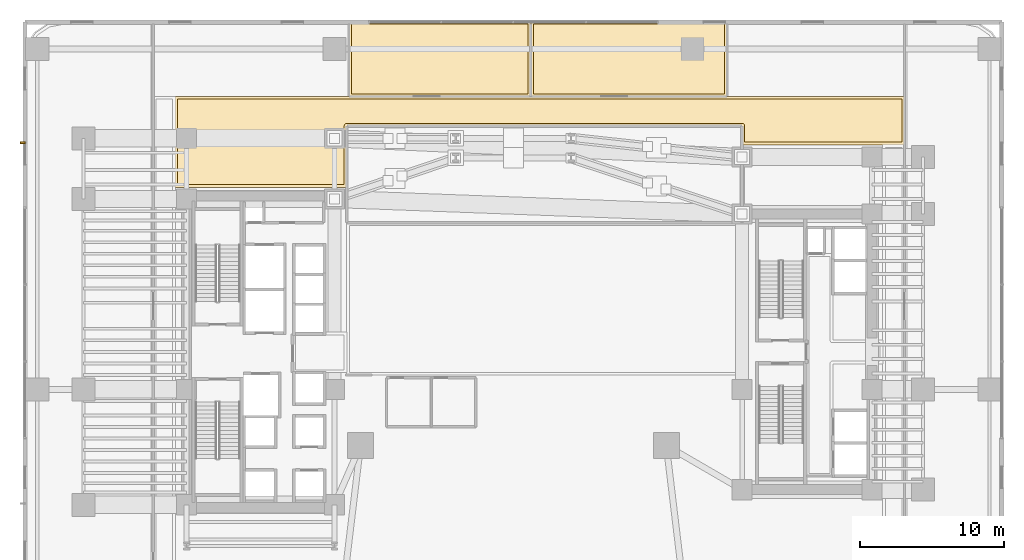
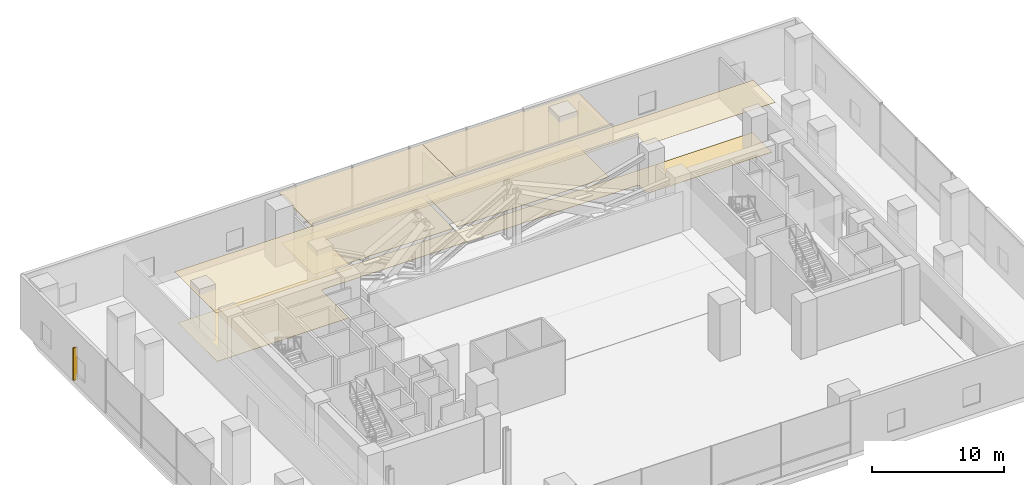
# One storey, part 40 of 41: 6 coverings, 1 shading device.
"""IFC4 building model written with IfcOpenShell, lengths in metres."""

from ifc_helpers import new_model, si_unit, direction, frame, origin, origin_2d, place, context, subcontext, project, spatial, polyline, rectangle, outline, extrude, source, transform, mapped, material, layer, layer_set, type_object, element, save


model = new_model("IFC4")

# Units and contexts
model_context = context("Model", 3, precision=1e-05, world=origin(), true_north=direction((0.0, 1.0)))
body_context = subcontext(model_context, "Body", "Model", "MODEL_VIEW")
ifc_project = project(units=[si_unit("LENGTHUNIT", "METRE"), si_unit("AREAUNIT", "SQUARE_METRE"), si_unit("VOLUMEUNIT", "CUBIC_METRE"), si_unit("PLANEANGLEUNIT", "RADIAN"), si_unit("MASSUNIT", "GRAM", prefix="KILO")], contexts=[model_context])

# Site, building, storey
site_placement = place(None, origin())
site = spatial("IfcSite", under=ifc_project, at=site_placement, CompositionType="ELEMENT")
building_placement = place(site_placement, origin())
building = spatial("IfcBuilding", under=site, at=building_placement, Name="Valdorenza Pilgrim Sanctuary Tower", CompositionType="ELEMENT")
storey_placement = place(building_placement, frame((0.0, 0.0, 20.800048828125)))
storey = spatial("IfcBuildingStorey", under=building, at=storey_placement, Name="L04", CompositionType="ELEMENT", Elevation=20.800048828125)

# Coverings
ifc_material_1 = material(Name="Micro-perforated acoustic mineral ceiling tile", Category="gypsum")
ifc_layer_1 = layer(ifc_material_1, 0.02490234375, Name="Micro-perforated acoustic mineral ceiling tile")
ifc_layer_set_1 = layer_set([ifc_layer_1], Name="Micro-perforated acoustic mineral ceiling tile")
covering_type_1 = type_object("IfcCoveringType", Name="COV-CLG-ACU", PredefinedType="CEILING", material=ifc_layer_set_1)
covering_1_placement = place(storey_placement, frame((0.0, 0.0, 4.659912109375)))
element("IfcCovering", 1, at=covering_1_placement, inside=storey, type_object=covering_type_1, Name="L04 Hydrotherapy Changing Suite Acoustic Ceiling", PredefinedType="CEILING", context=body_context, shape_type="SweptSolid", body=[
    extrude(outline(polyline([(-11.39990234375, 17.68505859375), (-11.401611328125, 17.68505859375), (-11.40283203125, 17.685302734375), (-11.404296875, 17.685546875), (-11.40576171875, 17.68603515625), (-11.406982421875, 17.686767578125), (-11.408203125, 17.6875), (-11.409423828125, 17.6884765625), (-11.41064453125, 17.689453125), (-11.41162109375, 17.6904296875), (-11.41259765625, 17.691650390625), (-11.4130859375, 17.69287109375), (-11.413818359375, 17.6943359375), (-11.414306640625, 17.695556640625), (-11.414794921875, 17.697021484375), (-11.414794921875, 17.698486328125), (-11.4150390625, 17.699951171875), (-11.4150390625, 22.889892578125), (-11.414794921875, 22.8916015625), (-11.414794921875, 22.892822265625), (-11.414306640625, 22.894287109375), (-11.413818359375, 22.895751953125), (-11.4130859375, 22.897216796875), (-11.41259765625, 22.898193359375), (-11.41162109375, 22.8994140625), (-11.41064453125, 22.900634765625), (-11.409423828125, 22.901611328125), (-11.408203125, 22.902587890625), (-11.406982421875, 22.9033203125), (-11.40576171875, 22.90380859375), (-11.404296875, 22.904296875), (-11.40283203125, 22.90478515625), (-11.401611328125, 22.90478515625), (-11.39990234375, 22.905029296875), (1.199951171875, 22.905029296875), (1.201416015625, 22.90478515625), (1.202880859375, 22.90478515625), (1.204345703125, 22.904296875), (1.205810546875, 22.90380859375), (1.20703125, 22.9033203125), (1.208251953125, 22.902587890625), (1.20947265625, 22.901611328125), (1.210693359375, 22.900634765625), (1.211669921875, 22.8994140625), (1.21240234375, 22.898193359375), (1.213134765625, 22.897216796875), (1.2138671875, 22.895751953125), (1.21435546875, 22.894287109375), (1.214599609375, 22.892822265625), (1.21484375, 22.8916015625), (1.215087890625, 22.889892578125), (1.215087890625, 17.699951171875), (1.21484375, 17.698486328125), (1.214599609375, 17.697021484375), (1.21435546875, 17.695556640625), (1.2138671875, 17.6943359375), (1.213134765625, 17.69287109375), (1.21240234375, 17.691650390625), (1.211669921875, 17.6904296875), (1.210693359375, 17.689453125), (1.20947265625, 17.6884765625), (1.208251953125, 17.6875), (1.20703125, 17.686767578125), (1.205810546875, 17.68603515625), (1.204345703125, 17.685546875), (1.202880859375, 17.685302734375), (1.201416015625, 17.68505859375), (1.199951171875, 17.68505859375), (-11.39990234375, 17.68505859375)])), origin(), (0.0, 0.0, 1.0), 0.025146484375),
])
covering_2_placement = place(storey_placement, frame((0.0, 0.0, 4.659912109375)))
element("IfcCovering", 2, at=covering_2_placement, inside=storey, type_object=covering_type_1, Name="L04 Transfer Plant Room Acoustic Ceiling", PredefinedType="CEILING", context=body_context, shape_type="SweptSolid", body=[
    extrude(outline(polyline([(1.201904296875, 17.68505859375), (1.200439453125, 17.68505859375), (1.19921875, 17.685302734375), (1.197509765625, 17.685546875), (1.1962890625, 17.68603515625), (1.19482421875, 17.686767578125), (1.193603515625, 17.6875), (1.1923828125, 17.6884765625), (1.19140625, 17.689453125), (1.1904296875, 17.6904296875), (1.189453125, 17.691650390625), (1.188720703125, 17.69287109375), (1.18798828125, 17.6943359375), (1.1875, 17.695556640625), (1.187255859375, 17.697021484375), (1.18701171875, 17.698486328125), (1.18701171875, 17.699951171875), (1.18701171875, 22.889892578125), (1.18701171875, 22.8916015625), (1.187255859375, 22.892822265625), (1.1875, 22.894287109375), (1.18798828125, 22.895751953125), (1.188720703125, 22.897216796875), (1.189453125, 22.898193359375), (1.1904296875, 22.8994140625), (1.19140625, 22.900634765625), (1.1923828125, 22.901611328125), (1.193603515625, 22.902587890625), (1.19482421875, 22.9033203125), (1.1962890625, 22.90380859375), (1.197509765625, 22.904296875), (1.19921875, 22.90478515625), (1.200439453125, 22.90478515625), (1.201904296875, 22.905029296875), (14.800048828125, 22.905029296875), (14.801513671875, 22.90478515625), (14.802978515625, 22.90478515625), (14.804443359375, 22.904296875), (14.8056640625, 22.90380859375), (14.80712890625, 22.9033203125), (14.808349609375, 22.902587890625), (14.8095703125, 22.901611328125), (14.810546875, 22.900634765625), (14.8115234375, 22.8994140625), (14.8125, 22.898193359375), (14.813232421875, 22.897216796875), (14.81396484375, 22.895751953125), (14.814453125, 22.894287109375), (14.814697265625, 22.892822265625), (14.81494140625, 22.8916015625), (14.81494140625, 22.889892578125), (14.81494140625, 17.699951171875), (14.81494140625, 17.698486328125), (14.814697265625, 17.697021484375), (14.814453125, 17.695556640625), (14.81396484375, 17.6943359375), (14.813232421875, 17.69287109375), (14.8125, 17.691650390625), (14.8115234375, 17.6904296875), (14.810546875, 17.689453125), (14.8095703125, 17.6884765625), (14.808349609375, 17.6875), (14.80712890625, 17.686767578125), (14.8056640625, 17.68603515625), (14.804443359375, 17.685546875), (14.802978515625, 17.685302734375), (14.801513671875, 17.68505859375), (14.800048828125, 17.68505859375), (1.201904296875, 17.68505859375)])), origin(), (0.0, 0.0, 1.0), 0.025146484375),
])
covering_3_placement = place(storey_placement, frame((0.0, 0.0, 4.659912109375)))
element("IfcCovering", 3, at=covering_3_placement, inside=storey, type_object=covering_type_1, Name="L04 L04 Podium North Concourse Acoustic Ceiling", PredefinedType="CEILING", context=body_context, shape_type="SweptSolid", body=[
    extrude(outline(polyline([(-11.39453125, 17.712890625), (1.1982421875, 17.712890625), (1.198974609375, 17.713134765625), (1.200439453125, 17.71337890625), (1.201904296875, 17.713134765625), (1.20361328125, 17.713134765625), (1.203857421875, 17.712890625), (14.79443359375, 17.712890625), (14.794677734375, 17.713134765625), (14.796142578125, 17.7138671875), (14.797607421875, 17.71435546875), (14.799072265625, 17.714599609375), (14.800537109375, 17.71484375), (14.802001953125, 17.715087890625), (27.097900390625, 17.715087890625), (27.099609375, 17.71484375), (27.100830078125, 17.714599609375), (27.102294921875, 17.71435546875), (27.103759765625, 17.7138671875), (27.10498046875, 17.713134765625), (27.106201171875, 17.71240234375), (27.107421875, 17.711669921875), (27.108642578125, 17.710693359375), (27.109619140625, 17.70947265625), (27.110595703125, 17.708251953125), (27.111083984375, 17.70703125), (27.11181640625, 17.705810546875), (27.1123046875, 17.704345703125), (27.11279296875, 17.702880859375), (27.11279296875, 17.701416015625), (27.113037109375, 17.699951171875), (27.113037109375, 14.35009765625), (27.11279296875, 14.348388671875), (27.11279296875, 14.34716796875), (27.1123046875, 14.345703125), (27.11181640625, 14.34423828125), (27.111083984375, 14.343017578125), (27.110595703125, 14.341796875), (27.109619140625, 14.340576171875), (27.108642578125, 14.33935546875), (27.107421875, 14.33837890625), (27.106201171875, 14.33740234375), (27.10498046875, 14.3369140625), (27.103759765625, 14.336181640625), (27.102294921875, 14.335693359375), (27.100830078125, 14.335205078125), (27.099609375, 14.335205078125), (27.097900390625, 14.3349609375), (15.85009765625, 14.3349609375), (15.848388671875, 14.335205078125), (15.84716796875, 14.335205078125), (15.845703125, 14.335693359375), (15.84423828125, 14.336181640625), (15.843017578125, 14.3369140625), (15.841796875, 14.33740234375), (15.840576171875, 14.33837890625), (15.83935546875, 14.33935546875), (15.83837890625, 14.340576171875), (15.83740234375, 14.341796875), (15.8369140625, 14.343017578125), (15.836181640625, 14.34423828125), (15.835693359375, 14.345703125), (15.835205078125, 14.34716796875), (15.835205078125, 14.348388671875), (15.8349609375, 14.35009765625), (15.8349609375, 15.635009765625), (-11.534912109375, 15.635009765625), (-11.534912109375, 11.419921875), (-11.53515625, 11.41845703125), (-11.535400390625, 11.4169921875), (-11.53564453125, 11.41552734375), (-11.5361328125, 11.414306640625), (-11.536865234375, 11.412841796875), (-11.53759765625, 11.41162109375), (-11.538330078125, 11.410400390625), (-11.539306640625, 11.409423828125), (-11.54052734375, 11.408447265625), (-11.541748046875, 11.407470703125), (-11.54296875, 11.40673828125), (-11.544189453125, 11.406005859375), (-11.545654296875, 11.405517578125), (-11.547119140625, 11.4052734375), (-11.548583984375, 11.405029296875), (-11.550048828125, 11.405029296875), (-23.447998046875, 11.405029296875), (-23.449462890625, 11.405029296875), (-23.450927734375, 11.4052734375), (-23.452392578125, 11.405517578125), (-23.45361328125, 11.406005859375), (-23.455078125, 11.40673828125), (-23.456298828125, 11.407470703125), (-23.45751953125, 11.408447265625), (-23.45849609375, 11.409423828125), (-23.459716796875, 11.410400390625), (-23.46044921875, 11.41162109375), (-23.461181640625, 11.412841796875), (-23.4619140625, 11.414306640625), (-23.46240234375, 11.41552734375), (-23.462646484375, 11.4169921875), (-23.462890625, 11.41845703125), (-23.462890625, 11.419921875), (-23.462890625, 17.699951171875), (-23.462890625, 17.701416015625), (-23.462646484375, 17.702880859375), (-23.46240234375, 17.704345703125), (-23.4619140625, 17.705810546875), (-23.461181640625, 17.70703125), (-23.46044921875, 17.708251953125), (-23.459716796875, 17.70947265625), (-23.45849609375, 17.710693359375), (-23.45751953125, 17.711669921875), (-23.456298828125, 17.71240234375), (-23.455078125, 17.713134765625), (-23.45361328125, 17.7138671875), (-23.452392578125, 17.71435546875), (-23.450927734375, 17.714599609375), (-23.449462890625, 17.71484375), (-23.447998046875, 17.715087890625), (-11.402099609375, 17.715087890625), (-11.400390625, 17.71484375), (-11.39892578125, 17.714599609375), (-11.3974609375, 17.71435546875), (-11.39599609375, 17.7138671875), (-11.394775390625, 17.713134765625), (-11.39453125, 17.712890625)])), origin(), (0.0, 0.0, 1.0), 0.025146484375),
])
ifc_material_2 = material(Name="Engineered European oak timber flooring", Category="wood")
ifc_layer_2 = layer(ifc_material_2, 0.02197265625, Name="Engineered European oak timber flooring")
ifc_layer_set_2 = layer_set([ifc_layer_2], Name="Engineered European oak timber flooring")
covering_type_2 = type_object("IfcCoveringType", Name="COV-FLR-OAK", PredefinedType="FLOORING", material=ifc_layer_set_2)
covering_4_placement = place(storey_placement, origin())
element("IfcCovering", 4, at=covering_4_placement, inside=storey, type_object=covering_type_2, Name="L04 Hydrotherapy Changing Suite Flooring", PredefinedType="FLOORING", context=body_context, shape_type="SweptSolid", body=[
    extrude(outline(polyline([(-11.219970703125, 17.8798828125), (-11.219970703125, 22.7099609375), (1.02001953125, 22.7099609375), (1.02001953125, 17.8798828125), (-11.219970703125, 17.8798828125)])), origin(), (0.0, 0.0, 1.0), 0.02490234375),
])
covering_5_placement = place(storey_placement, origin())
element("IfcCovering", 5, at=covering_5_placement, inside=storey, type_object=covering_type_2, Name="L04 Transfer Plant Room Flooring", PredefinedType="FLOORING", context=body_context, shape_type="SweptSolid", body=[
    extrude(outline(polyline([(1.382080078125, 17.8798828125), (1.382080078125, 22.7099609375), (14.6201171875, 22.7099609375), (14.6201171875, 17.8798828125), (1.382080078125, 17.8798828125)])), origin(), (0.0, 0.0, 1.0), 0.02490234375),
])
ifc_material_3 = material(Name="Honed travertine stone flooring", Category="masonry")
ifc_layer_3 = layer(ifc_material_3, 0.030029296875, Name="Honed travertine stone flooring")
ifc_layer_set_3 = layer_set([ifc_layer_3], Name="Honed travertine stone flooring")
covering_type_3 = type_object("IfcCoveringType", Name="COV-FLR-TRV", PredefinedType="FLOORING", material=ifc_layer_set_3)
covering_6_placement = place(storey_placement, origin())
element("IfcCovering", 6, at=covering_6_placement, inside=storey, type_object=covering_type_3, Name="L04 L04 Podium North Concourse Flooring", PredefinedType="FLOORING", context=body_context, shape_type="SweptSolid", body=[
    extrude(outline(polyline([(-11.427001953125, 17.52001953125), (-11.4267578125, 17.52001953125), (-11.426513671875, 17.52001953125), (-11.408935546875, 17.518310546875), (-11.40869140625, 17.518310546875), (-11.39990234375, 17.51806640625), (1.199951171875, 17.51806640625), (1.200927734375, 17.51806640625), (1.20166015625, 17.51806640625), (1.201904296875, 17.51806640625), (14.800048828125, 17.51806640625), (26.91796875, 17.52001953125), (26.91796875, 14.530029296875), (16.030029296875, 14.530029296875), (16.030029296875, 15.64990234375), (16.029052734375, 15.66748046875), (16.026611328125, 15.68505859375), (16.022216796875, 15.702392578125), (16.016357421875, 15.718994140625), (16.0087890625, 15.73486328125), (15.999755859375, 15.75), (15.989013671875, 15.76416015625), (15.977294921875, 15.77734375), (15.964111328125, 15.7890625), (15.949951171875, 15.7998046875), (15.934814453125, 15.80859375), (15.9189453125, 15.81640625), (15.90234375, 15.822265625), (15.885009765625, 15.826416015625), (15.86767578125, 15.8291015625), (15.85009765625, 15.830078125), (-11.550048828125, 15.830078125), (-11.567626953125, 15.8291015625), (-11.585205078125, 15.826416015625), (-11.602294921875, 15.822265625), (-11.618896484375, 15.81640625), (-11.635009765625, 15.80859375), (-11.64990234375, 15.7998046875), (-11.664306640625, 15.7890625), (-11.67724609375, 15.77734375), (-11.689208984375, 15.76416015625), (-11.69970703125, 15.75), (-11.708740234375, 15.73486328125), (-11.71630859375, 15.718994140625), (-11.72216796875, 15.702392578125), (-11.7265625, 15.68505859375), (-11.72900390625, 15.66748046875), (-11.72998046875, 15.64990234375), (-11.72998046875, 11.60009765625), (-23.26806640625, 11.60009765625), (-23.26806640625, 17.52001953125), (-11.427001953125, 17.52001953125)])), origin(), (0.0, 0.0, 1.0), 0.02490234375),
])

# Shading device
ifc_material_4 = material(Name="Champagne anodised aluminium", Category="aluminium")
shading_device_type = type_object("IfcShadingDeviceType", Name="SHD-FIN-TRV", PredefinedType="SHUTTER", material=ifc_material_4)
shared_shape = source(origin(), body_context, "Body", "SweptSolid", [
    extrude(rectangle(XDim=0.35009765625, YDim=0.1201171875, at=origin_2d()), origin(), (0.0, 0.0, 1.0), 3.0),
])
shading_device_placement = place(storey_placement, frame((-34.02001953125, 14.5, 0.349853515625), z_axis=(0.0, 0.0, 1.0), x_axis=(1.0, 0.0, 0.0)))
element("IfcShadingDevice", 7, at=shading_device_placement, inside=storey, type_object=shading_device_type, Name="L04 West Solar Shading Fin 2", PredefinedType="SHUTTER", context=body_context, shape_type="MappedRepresentation", body=[
    mapped(shared_shape, transform((0.0, 0.0, 0.0), x_axis=(1.0, 0.0, 0.0), y_axis=(0.0, 1.0, 0.0), z_axis=(0.0, 0.0, 1.0), scale=1.0)),
])

save(model, "model.ifc")
